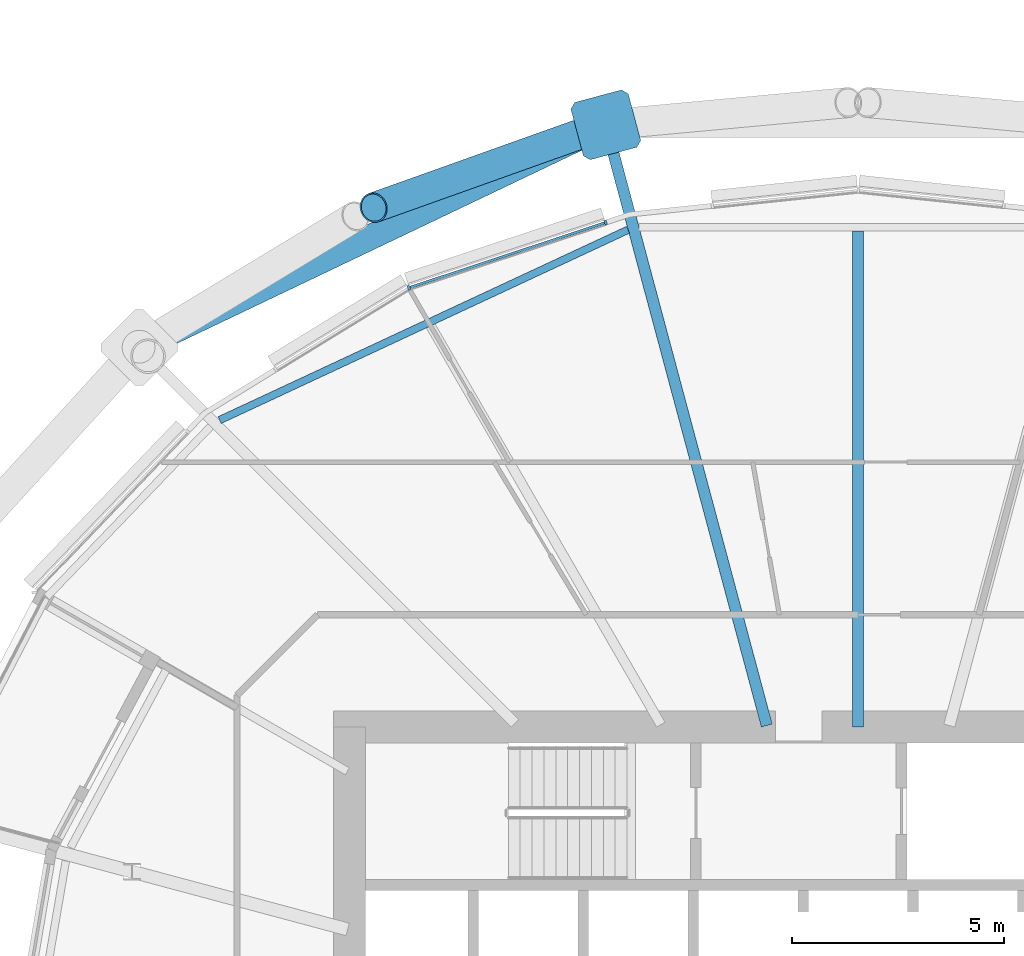
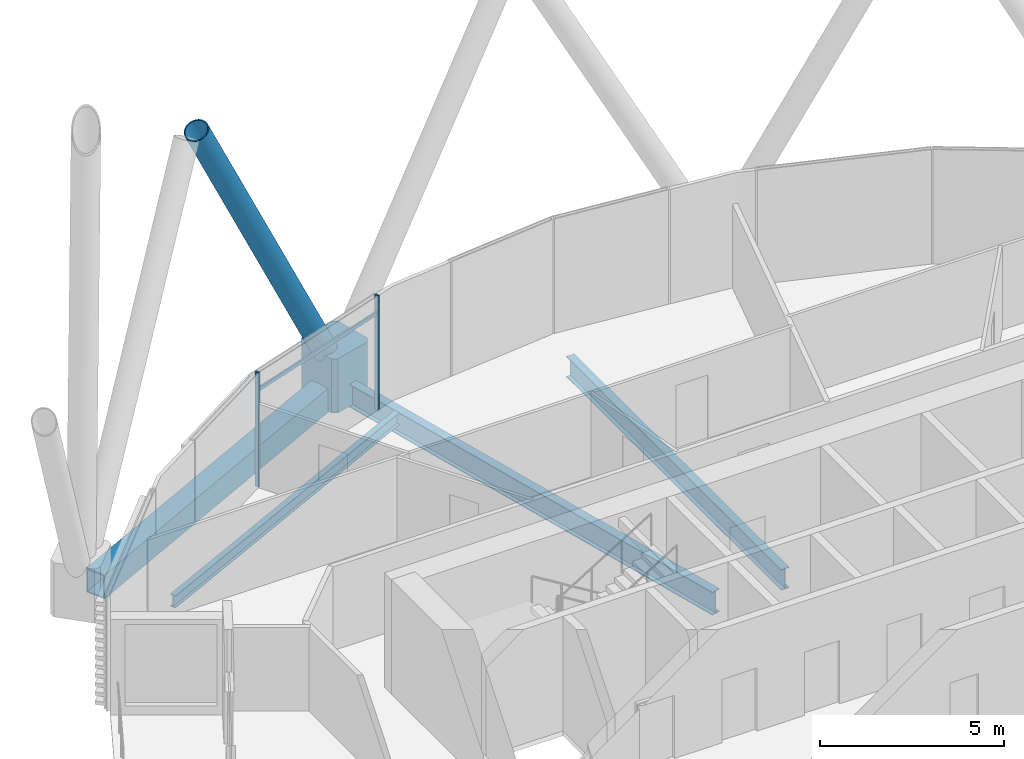
# One storey, part 12 of 39: 5 members, 4 beams, 1 element without a shape of its own.
"""IFC4 building model written with IfcOpenShell, lengths in metres."""

from ifc_helpers import new_model, si_unit, direction, frame, origin, origin_2d, place, context, subcontext, project, spatial, polyline, rectangle, hollow_rectangle, hollow_circle, i_section, outline, extrude, material, material_profile, profile_set, type_object, element, aggregate, save


model = new_model("IFC4")

# Units and contexts
model_context = context("Model", 3, precision=1e-05, world=origin(), true_north=direction((0.0, 1.0)))
body_context = subcontext(model_context, "Body", "Model", "MODEL_VIEW")
ifc_project = project(units=[si_unit("LENGTHUNIT", "METRE"), si_unit("AREAUNIT", "SQUARE_METRE"), si_unit("VOLUMEUNIT", "CUBIC_METRE"), si_unit("PLANEANGLEUNIT", "RADIAN"), si_unit("MASSUNIT", "GRAM", prefix="KILO")], contexts=[model_context])

# Site, building, storey
site_placement = place(None, origin())
site = spatial("IfcSite", under=ifc_project, at=site_placement, CompositionType="ELEMENT")
building_placement = place(site_placement, origin())
building = spatial("IfcBuilding", under=site, at=building_placement, Name="Rimbun Link Towers", CompositionType="ELEMENT")
storey_placement = place(building_placement, frame((0.0, 0.0, 115.800048828125)))
storey = spatial("IfcBuildingStorey", under=building, at=storey_placement, Name="L28", CompositionType="ELEMENT", Elevation=115.800048828125)

# Curtain wall, members
ifc_material_1 = material(Name="Aluminium 6063-T6 and low-iron glass", Category="aluminium")
curtain_wall_type = type_object("IfcCurtainWallType", Name="CW1-Z2 unitised vision wall (zone 2)", PredefinedType="NOTDEFINED", material=ifc_material_1)
curtain_wall_placement = place(storey_placement, origin())
curtain_wall = element("IfcCurtainWall", 1, at=curtain_wall_placement, inside=storey, type_object=curtain_wall_type, Name="CW1 L28 T1", PredefinedType="NOTDEFINED")
ifc_material_2 = material(Name="Aluminium 6063-T6", Category="aluminium")
ifc_material_profile_1 = material_profile(ifc_material_2, rectangle(XDim=0.1201171875, YDim=0.06005859375, at=origin_2d()), Name="MULLION 60X120")
ifc_profile_set_1 = profile_set([ifc_material_profile_1], Name="Aluminium 6063-T6")
member_type_1 = type_object("IfcMemberType", Name="CW1 mullion 60X120", PredefinedType="MULLION", material=ifc_profile_set_1)
member_1_placement = place(storey_placement, frame((-42.34619140625, 18.364013671875, 0.0), z_axis=(0.0, 0.0, 1.0), x_axis=(-0.421704717158, 0.9067332196, 0.0)))
member_1 = element("IfcMember", 2, at=member_1_placement, type_object=member_type_1, Name="CW1 mullion", PredefinedType="MULLION", context=body_context, shape_type="SweptSolid", body=[
    extrude(rectangle(XDim=0.1201171875, YDim=0.06005859375, at=origin_2d()), origin(), (0.0, 0.0, 1.0), 3.800048828125),
])
member_2_placement = place(storey_placement, frame((-37.706298828125, 19.90185546875, 0.0), z_axis=(0.0, 0.0, 1.0), x_axis=(-0.314563424855, 0.949236457235, 0.0)))
member_2 = element("IfcMember", 3, at=member_2_placement, type_object=member_type_1, Name="CW1 mullion", PredefinedType="MULLION", context=body_context, shape_type="SweptSolid", body=[
    extrude(rectangle(XDim=0.1201171875, YDim=0.06005859375, at=origin_2d()), origin(), (0.0, 0.0, 1.0), 3.800048828125),
])
ifc_material_3 = material(Name="Aluminium 6063-T6", Category="aluminium")
ifc_material_profile_2 = material_profile(ifc_material_3, rectangle(XDim=0.06005859375, YDim=0.1201171875, at=origin_2d()), Name="TRANSOM 60X120")
ifc_profile_set_2 = profile_set([ifc_material_profile_2], Name="Aluminium 6063-T6")
member_type_2 = type_object("IfcMemberType", Name="CW1 transom 60X120", PredefinedType="USERDEFINED", material=ifc_profile_set_2)
member_3_placement = place(storey_placement, frame((-42.310791015625, 18.3740234375, 3.199951171875), z_axis=(0.94923382133, 0.314571378933, 0.0), x_axis=(-0.314571378933, 0.94923382133, 0.0)))
member_3 = element("IfcMember", 4, at=member_3_placement, type_object=member_type_2, Name="CW1 transom", ObjectType="TRANSOM", PredefinedType="USERDEFINED", context=body_context, shape_type="SweptSolid", body=[
    extrude(rectangle(XDim=0.06005859375, YDim=0.1201171875, at=origin_2d()), origin(), (0.0, 0.0, 1.0), 4.8212890625),
])
aggregate(curtain_wall, [member_1, member_2, member_3])

# Members
ifc_material_4 = material(Name="Steel S460NH", Category="steel")
ifc_material_profile_3 = material_profile(ifc_material_4, hollow_circle(Radius=0.355712890625, WallThickness=0.031982421875, at=origin_2d()), Name="Diagrid diagonal CHS 711x32")
ifc_profile_set_3 = profile_set([ifc_material_profile_3], Name="Steel S460NH")
member_type_3 = type_object("IfcMemberType", Name="Diagrid diagonal CHS 711x32", PredefinedType="BRACE", material=ifc_profile_set_3)
member_4_placement = place(storey_placement, frame((-37.921142578125, 22.128173828125, 0.441650390625), z_axis=(-0.441450523195, -0.157512959012, 0.883352196643), x_axis=(0.336056450745, -0.941841845488, 0.0)))
element("IfcMember", 5, at=member_4_placement, inside=storey, type_object=member_type_3, Name="Diagrid diagonal T1 L28-L31 07b", PredefinedType="BRACE", context=body_context, shape_type="SweptSolid", body=[
    extrude(hollow_circle(Radius=0.355712890625, WallThickness=0.031982421875, at=origin_2d()), origin(), (0.0, 0.0, 1.0), 11.9052734375),
])
ifc_material_5 = material(Name="Cast steel G20Mn5+QT, Rp0.2 300 MPa", Category="steel")
ifc_material_profile_4 = material_profile(ifc_material_5, outline(polyline([(0.699951171875, -0.570068359375), (0.699951171875, 0.570068359375), (0.570068359375, 0.699951171875), (-0.570068359375, 0.699951171875), (-0.699951171875, 0.570068359375), (-0.699951171875, -0.570068359375), (-0.570068359375, -0.699951171875), (0.570068359375, -0.699951171875), (0.699951171875, -0.570068359375)])), Name="NODE 1400x1400")
ifc_profile_set_4 = profile_set([ifc_material_profile_4], Name="Cast steel G20Mn5+QT, Rp0.2 300 MPa")
member_type_4 = type_object("IfcMemberType", Name="Diagrid node cast 1400", PredefinedType="USERDEFINED", material=ifc_profile_set_4)
member_5_placement = place(storey_placement, frame((-37.700439453125, 22.20703125, -0.900146484375), z_axis=(0.0, 0.0, 1.0), x_axis=(-0.258819045103, 0.965925826289, 0.0)))
element("IfcMember", 6, at=member_5_placement, inside=storey, type_object=member_type_4, Name="Diagrid node L28 07", ObjectType="Diagrid node", PredefinedType="USERDEFINED", context=body_context, shape_type="SweptSolid", body=[
    extrude(outline(polyline([(0.699951171875, -0.570068359375), (0.699951171875, 0.570068359375), (0.570068359375, 0.699951171875), (-0.570068359375, 0.699951171875), (-0.699951171875, 0.570068359375), (-0.699951171875, -0.570068359375), (-0.570068359375, -0.699951171875), (0.570068359375, -0.699951171875), (0.699951171875, -0.570068359375)])), origin(), (0.0, 0.0, 1.0), 1.800048828125),
])

# Beams
ifc_material_6 = material(Name="Steel S355J2", Category="steel")
ifc_material_profile_5 = material_profile(ifc_material_6, hollow_rectangle(XDim=0.60009765625, YDim=0.800048828125, WallThickness=0.0400390625, at=origin_2d()), Name="Exoskeleton ring girder BOX 600x800x40")
ifc_profile_set_5 = profile_set([ifc_material_profile_5], Name="Steel S355J2")
beam_type_1 = type_object("IfcBeamType", Name="Exoskeleton ring girder BOX 600x800x40", PredefinedType="BEAM", material=ifc_profile_set_5)
beam_1_placement = place(storey_placement, frame((-38.332275390625, 21.905517578125, -0.56005859375), z_axis=(-0.902565145256, -0.430553316755, 0.0), x_axis=(0.430553316755, -0.902565145256, 0.0)))
element("IfcBeam", 7, at=beam_1_placement, inside=storey, type_object=beam_type_1, Name="Exoskeleton ring girder L28 03", PredefinedType="BEAM", context=body_context, shape_type="SweptSolid", body=[
    extrude(hollow_rectangle(XDim=0.60009765625, YDim=0.800048828125, WallThickness=0.0400390625, at=origin_2d()), origin(), (0.0, 0.0, 1.0), 10.794189453125),
])
ifc_material_7 = material(Name="Steel S355J2", Category="steel")
ifc_material_profile_6 = material_profile(ifc_material_7, i_section(OverallWidth=0.177978515625, OverallDepth=0.406494140625, WebThickness=0.0078125, FlangeThickness=0.0126953125, at=origin_2d()), Name="UB 406x178x60")
ifc_profile_set_6 = profile_set([ifc_material_profile_6], Name="Steel S355J2")
beam_type_2 = type_object("IfcBeamType", Name="UB 406x178x60", PredefinedType="BEAM", material=ifc_profile_set_6)
beam_2_placement = place(storey_placement, frame((-37.176025390625, 19.731689453125, -0.36328125), z_axis=(-0.906386059243, -0.422450365853, 0.0), x_axis=(0.422450365853, -0.906386059243, 0.0)))
element("IfcBeam", 8, at=beam_2_placement, inside=storey, type_object=beam_type_2, Name="Edge beam T1 L28 07-09", PredefinedType="BEAM", context=body_context, shape_type="SweptSolid", body=[
    extrude(i_section(OverallWidth=0.177978515625, OverallDepth=0.406494140625, WebThickness=0.0078125, FlangeThickness=0.0126953125, at=origin_2d()), origin(), (0.0, 0.0, 1.0), 10.629638671875),
])
ifc_material_8 = material(Name="Steel S355J2", Category="steel")
ifc_material_profile_7 = material_profile(ifc_material_8, i_section(OverallWidth=0.253662109375, OverallDepth=0.68359375, WebThickness=0.012451171875, FlangeThickness=0.01904296875, at=origin_2d()), Name="UB 686x254x140")
ifc_profile_set_7 = profile_set([ifc_material_profile_7], Name="Steel S355J2")
beam_type_3 = type_object("IfcBeamType", Name="UB 686x254x140", PredefinedType="BEAM", material=ifc_profile_set_7)
beam_3_placement = place(storey_placement, frame((-31.75, 8.0009765625, -0.501953125), z_axis=(0.0, 1.0, 0.0), x_axis=(-1.0, 0.0, 0.0)))
element("IfcBeam", 9, at=beam_3_placement, inside=storey, type_object=beam_type_3, Name="Radial beam T1 L28 06", PredefinedType="BEAM", context=body_context, shape_type="SweptSolid", body=[
    extrude(i_section(OverallWidth=0.253662109375, OverallDepth=0.68359375, WebThickness=0.012451171875, FlangeThickness=0.01904296875, at=origin_2d()), origin(), (0.0, 0.0, 1.0), 11.6982421875),
])
ifc_material_9 = material(Name="Steel S355J2", Category="steel")
ifc_material_profile_8 = material_profile(ifc_material_9, i_section(OverallWidth=0.2666015625, OverallDepth=0.76220703125, WebThickness=0.014404296875, FlangeThickness=0.021484375, at=origin_2d()), Name="UB 762x267x173")
ifc_profile_set_8 = profile_set([ifc_material_profile_8], Name="Steel S355J2")
beam_type_4 = type_object("IfcBeamType", Name="UB 762x267x173", PredefinedType="BEAM", material=ifc_profile_set_8)
beam_4_placement = place(storey_placement, frame((-33.9033203125, 8.035400390625, -0.541259765625), z_axis=(-0.258808705497, 0.965928596719, 0.0), x_axis=(-0.965928596719, -0.258808705497, 0.0)))
element("IfcBeam", 10, at=beam_4_placement, inside=storey, type_object=beam_type_4, Name="Radial beam T1 L28 07", PredefinedType="BEAM", context=body_context, shape_type="SweptSolid", body=[
    extrude(i_section(OverallWidth=0.2666015625, OverallDepth=0.76220703125, WebThickness=0.014404296875, FlangeThickness=0.021484375, at=origin_2d()), origin(), (0.0, 0.0, 1.0), 14.171630859375),
])

save(model, "model.ifc")
